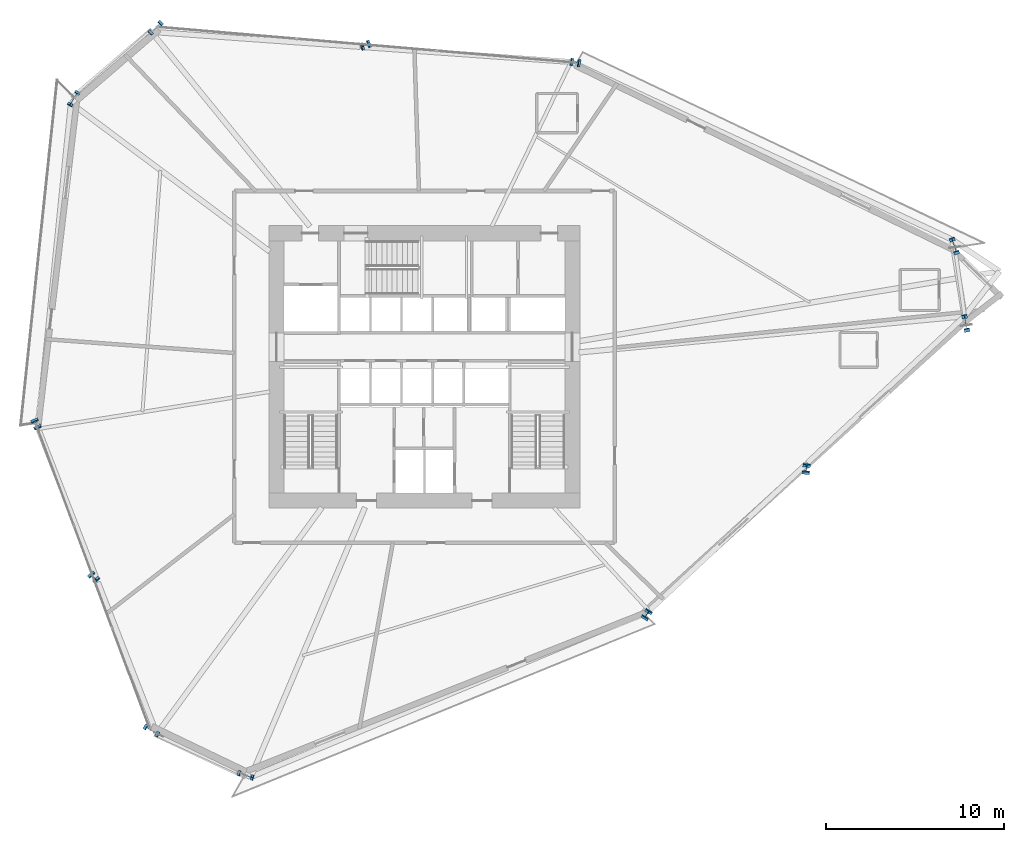
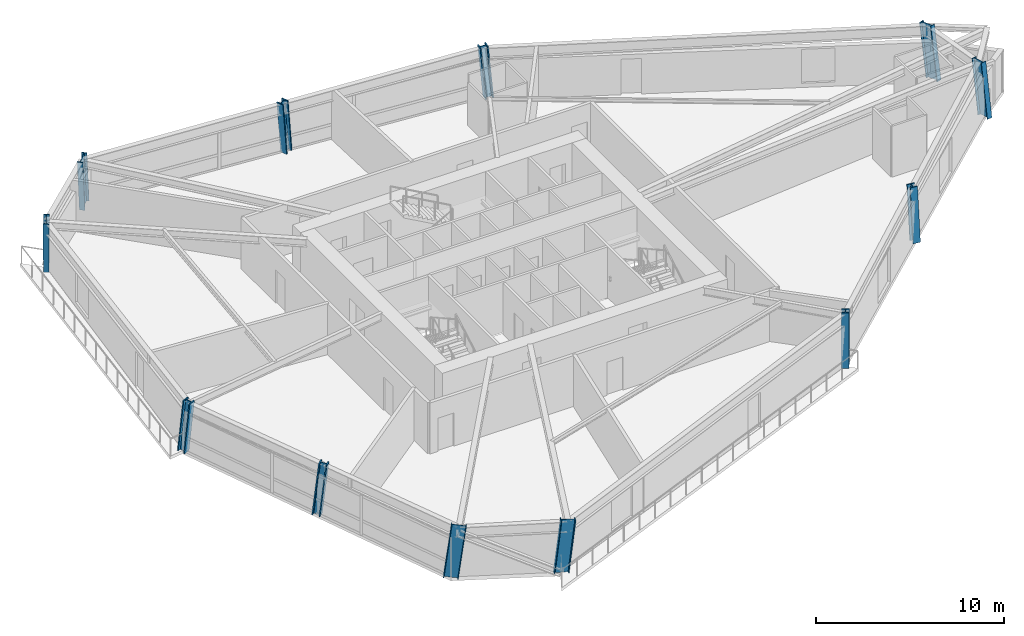
# One storey, part 1 of 21: 12 columns.
"""IFC4 building model written with IfcOpenShell, lengths in metres."""

import ifcopenshell
import ifcopenshell.guid

model = None  # the IFC model being written
_history = None  # IfcOwnerHistory: only IFC2X3 demands one
_inside = {}  # id of a spatial element -> (the spatial element, [elements in it])
_under = {}  # id of a project, library or spatial element -> (it, [spatial elements below it])
_declared = {}  # id of a project -> (the project, [libraries it declares])
_typed = {}  # id of a type object -> (the type object, [elements of that type])
_made_of = {}  # id of a material, layer set ... -> (it, [elements and type objects made of it])


def new_model(schema):
    """Start an empty IFC model of exactly this schema.

    Asked for "IFC4X3", IfcOpenShell would pick the latest addendum, in which some entities
    have other attributes; the version numbers below select the first issue.
    IFC2X3 requires an IfcOwnerHistory on every rooted entity: one is made here for all.
    """
    global model, _history
    if schema == "IFC4X3":
        model = ifcopenshell.file(schema_version=(4, 3, 0, 0))
    else:
        model = ifcopenshell.file(schema=schema)
    _inside.clear()
    _under.clear()
    _declared.clear()
    _typed.clear()
    _made_of.clear()
    _history = None
    if model.schema == "IFC2X3":
        org = make("IfcOrganization", Name="unknown")
        user = make(
            "IfcPersonAndOrganization",
            ThePerson=make("IfcPerson", FamilyName="unknown"),
            TheOrganization=org,
        )
        app = make(
            "IfcApplication",
            ApplicationDeveloper=org,
            Version="unknown",
            ApplicationFullName="unknown",
            ApplicationIdentifier="unknown",
        )
        _history = make(
            "IfcOwnerHistory",
            OwningUser=user,
            OwningApplication=app,
            ChangeAction="ADDED",
            CreationDate=0,
        )
    return model


def make(cls, **values):
    """One entity of the class cls with the attributes given. An attribute that is None is left unset."""
    return model.create_entity(
        cls, **{name: value for name, value in values.items() if value is not None}
    )


def rooted(cls, **values):
    """An entity with a GlobalId (a new one), such as an element, a storey or a relation."""
    return make(cls, GlobalId=ifcopenshell.guid.new(), OwnerHistory=_history, **values)


def si_unit(unit_type, name, prefix=None):
    """IfcSIUnit, for example si_unit("LENGTHUNIT", "METRE", prefix="MILLI")."""
    return make("IfcSIUnit", UnitType=unit_type, Prefix=prefix, Name=name)


def assignment(units):
    """IfcUnitAssignment: the units of a project."""
    return None if units is None else make("IfcUnitAssignment", Units=units)


def point(xyz):
    """IfcCartesianPoint."""
    return None if xyz is None else make("IfcCartesianPoint", Coordinates=xyz)


def direction(xyz):
    """IfcDirection."""
    return None if xyz is None else make("IfcDirection", DirectionRatios=xyz)


def frame(location, z_axis=None, x_axis=None):
    """IfcAxis2Placement3D, a coordinate frame: its origin and axes. An axis left out is left unset."""
    return make(
        "IfcAxis2Placement3D",
        Location=point(location),
        Axis=direction(z_axis),
        RefDirection=direction(x_axis),
    )


def frame_2d(location, x_axis=None):
    """IfcAxis2Placement2D, a coordinate frame in the plane: its origin and x axis."""
    return make(
        "IfcAxis2Placement2D", Location=point(location), RefDirection=direction(x_axis)
    )


def origin():
    """The frame at (0, 0, 0) with its axes left unset."""
    return frame((0.0, 0.0, 0.0))


def origin_2d():
    """The frame at (0, 0) in the plane with its x axis left unset."""
    return frame_2d((0.0, 0.0))


def place(relative_to, where):
    """IfcLocalPlacement: puts the frame where relative to a parent placement (None: the world)."""
    return make(
        "IfcLocalPlacement", PlacementRelTo=relative_to, RelativePlacement=where
    )


def context(
    kind, dimensions, precision=None, world=None, true_north=None, identifier=None
):
    """IfcGeometricRepresentationContext, for example the 3D "Model" context."""
    return make(
        "IfcGeometricRepresentationContext",
        ContextIdentifier=identifier,
        ContextType=kind,
        CoordinateSpaceDimension=dimensions,
        Precision=precision,
        WorldCoordinateSystem=world,
        TrueNorth=true_north,
    )


def subcontext(parent, identifier, kind, view, scale=None):
    """IfcGeometricRepresentationSubContext, for example "Body" below "Model"."""
    return make(
        "IfcGeometricRepresentationSubContext",
        ContextIdentifier=identifier,
        ContextType=kind,
        ParentContext=parent,
        TargetScale=scale,
        TargetView=view,
    )


def project(units=None, contexts=None):
    """IfcProject with its units and contexts."""
    return rooted(
        "IfcProject",
        Name="project",
        RepresentationContexts=contexts,
        UnitsInContext=assignment(units),
    )


def spatial(cls, under=None, at=None, **own):
    """A site, building, storey or space (cls), placed at a placement, below another one or the project."""
    s = rooted(cls, ObjectPlacement=at, **own)
    if under is not None:
        _under.setdefault(under.id(), (under, []))[1].append(s)
    return s


def profile(cls, at=None, kind="AREA", **sizes):
    """A parametric profile (cls). Its sizes go by their IFC names, for example OverallWidth=200.0."""
    return make(cls, ProfileType=kind, Position=at, **sizes)


def i_section(**sizes):
    """IfcIShapeProfileDef."""
    return profile("IfcIShapeProfileDef", **sizes)


def extrude(swept, where, along, depth):
    """IfcExtrudedAreaSolid: the profile swept, set in the frame where, extruded along a direction by depth."""
    return make(
        "IfcExtrudedAreaSolid",
        SweptArea=swept,
        Position=where,
        ExtrudedDirection=direction(along),
        Depth=depth,
    )


def shape(context_of_items, identifier, shape_type, items):
    """IfcShapeRepresentation: the items that make up one representation, for example the "Body"."""
    return make(
        "IfcShapeRepresentation",
        ContextOfItems=context_of_items,
        RepresentationIdentifier=identifier,
        RepresentationType=shape_type,
        Items=items,
    )


def source(mapping_origin, context_of_items, identifier, shape_type, items):
    """IfcRepresentationMap: a shape defined once, which mapped items show again and again."""
    return make(
        "IfcRepresentationMap",
        MappingOrigin=mapping_origin,
        MappedRepresentation=shape(context_of_items, identifier, shape_type, items),
    )


def transform(
    local_origin,
    x_axis=None,
    y_axis=None,
    z_axis=None,
    scale=None,
    scale2=None,
    scale3=None,
    uniform=True,
):
    """IfcCartesianTransformationOperator3D, or its non-uniform kind. x_axis, y_axis, z_axis: its Axis1, 2, 3."""
    if uniform:
        return make(
            "IfcCartesianTransformationOperator3D",
            Axis1=direction(x_axis),
            Axis2=direction(y_axis),
            LocalOrigin=point(local_origin),
            Scale=scale,
            Axis3=direction(z_axis),
        )
    return make(
        "IfcCartesianTransformationOperator3DnonUniform",
        Axis1=direction(x_axis),
        Axis2=direction(y_axis),
        LocalOrigin=point(local_origin),
        Scale=scale,
        Axis3=direction(z_axis),
        Scale2=scale2,
        Scale3=scale3,
    )


def mapped(mapping_source, mapping_target):
    """IfcMappedItem: shows the shape of a source again, moved by a transform."""
    return make(
        "IfcMappedItem", MappingSource=mapping_source, MappingTarget=mapping_target
    )


def material(Name=None, Category=None):
    """IfcMaterial."""
    return make("IfcMaterial", Name=Name, Category=Category)


def material_profile(
    of_material, cross_section, Name=None, Category=None, Priority=None
):
    """IfcMaterialProfile: a cross section and its material."""
    return make(
        "IfcMaterialProfile",
        Name=Name,
        Material=of_material,
        Profile=cross_section,
        Priority=Priority,
        Category=Category,
    )


def profile_set(profiles, Name=None, composite=None):
    """IfcMaterialProfileSet."""
    return make(
        "IfcMaterialProfileSet",
        Name=Name,
        MaterialProfiles=profiles,
        CompositeProfile=composite,
    )


def made_of(thing, what):
    """Note that an element or type object is made of a material, layer set ...; save() writes the relation."""
    if what is not None:
        _made_of.setdefault(what.id(), (what, []))[1].append(thing)
    return thing


def type_object(cls, material=None, **own):
    """A type object (cls), such as IfcWallType, which elements share."""
    return made_of(rooted(cls, **own), material)


def element(
    cls,
    number,
    at=None,
    inside=None,
    cuts=None,
    type_object=None,
    material=None,
    context=None,
    identifier="Body",
    shape_type=None,
    held_by="IfcProductDefinitionShape",
    body=None,
    shapes=None,
    **own,
):
    """One element of the class cls, such as IfcWall. Its Tag is "e" and its number.

    at: its placement. inside: the storey or other place that contains it. cuts: it is an
    opening in that element (IfcRelVoidsElement). A single representation is given by context,
    identifier, shape_type and body (its items); several are given by shapes. held_by: the class
    of the entity that holds the representations. save() writes the other relations.
    """
    e = rooted(cls, Tag="e%d" % number, ObjectPlacement=at, **own)
    if body is not None:
        shapes = [shape(context, identifier, shape_type, body)]
    if shapes is not None:
        e.Representation = make(held_by, Representations=shapes)
    if inside is not None:
        _inside.setdefault(inside.id(), (inside, []))[1].append(e)
    if cuts is not None:
        rooted(
            "IfcRelVoidsElement", RelatingBuildingElement=cuts, RelatedOpeningElement=e
        )
    if type_object is not None:
        _typed.setdefault(type_object.id(), (type_object, []))[1].append(e)
    return made_of(e, material)


def aggregate(whole, parts):
    """IfcRelAggregates: a whole, such as a stair, and the parts it consists of."""
    return rooted("IfcRelAggregates", RelatingObject=whole, RelatedObjects=parts)


def save(model, path):
    """Write the relations noted so far, then the file.

    IfcRelAggregates (storeys below a building ...), IfcRelContainedInSpatialStructure (elements
    in a storey), IfcRelDefinesByType, IfcRelAssociatesMaterial and IfcRelDeclares: one each for
    every whole, place, type object, material and project.
    """
    for whole, parts in _under.values():
        aggregate(whole, parts)
    for where, things in _inside.values():
        rooted(
            "IfcRelContainedInSpatialStructure",
            RelatedElements=things,
            RelatingStructure=where,
        )
    for kind, things in _typed.values():
        rooted("IfcRelDefinesByType", RelatedObjects=things, RelatingType=kind)
    for what, things in _made_of.values():
        rooted("IfcRelAssociatesMaterial", RelatedObjects=things, RelatingMaterial=what)
    for by, libraries in _declared.values():
        rooted("IfcRelDeclares", RelatingContext=by, RelatedDefinitions=libraries)
    model.write(path)


model = new_model("IFC4")

# Units and contexts
model_context = context("Model", 3, precision=1e-05, world=origin(), true_north=direction((0.0, 1.0)))
body_context = subcontext(model_context, "Body", "Model", "MODEL_VIEW")
ifc_project = project(units=[si_unit("LENGTHUNIT", "METRE"), si_unit("AREAUNIT", "SQUARE_METRE"), si_unit("VOLUMEUNIT", "CUBIC_METRE"), si_unit("PLANEANGLEUNIT", "RADIAN"), si_unit("MASSUNIT", "GRAM", prefix="KILO")], contexts=[model_context])

# Site, building, storey
site_placement = place(None, origin())
site = spatial("IfcSite", under=ifc_project, at=site_placement, CompositionType="ELEMENT")
building_placement = place(site_placement, origin())
building = spatial("IfcBuilding", under=site, at=building_placement, Name="Olszyna Solenne Hotel", CompositionType="ELEMENT")
storey_placement = place(building_placement, frame((0.0, 0.0, 68.35009765625)))
storey = spatial("IfcBuildingStorey", under=building, at=storey_placement, Name="L17", CompositionType="ELEMENT", Elevation=68.35009765625)

# Columns
ifc_material = material(Name="Steel S460M", Category="steel")
ifc_material_profile_1 = material_profile(ifc_material, i_section(OverallWidth=0.424072265625, OverallDepth=0.47412109375, WebThickness=0.04296875, FlangeThickness=0.068115234375, at=origin_2d()), Name="HD 400x634", Category="load-bearing")
ifc_profile_set_1 = profile_set([ifc_material_profile_1], Name="Steel S460M")
column_type_1 = type_object("IfcColumnType", Name="COL-T1", PredefinedType="COLUMN", material=ifc_profile_set_1)
shared_shape_1 = source(origin(), body_context, "Body", "SweptSolid", [
    extrude(i_section(OverallWidth=0.424072265625, OverallDepth=0.47412109375, WebThickness=0.04296875, FlangeThickness=0.068115234375, at=origin_2d()), origin(), (0.0, 0.0, 1.0), 3.39990234375),
])
column_1_placement = place(storey_placement, frame((34.734375, 44.724853515625, 0.0), z_axis=(-0.087319185608, -0.033247354389, 0.995625418142), x_axis=(0.355835526265, -0.93454859598, 0.0)))
element("IfcColumn", 1, at=column_1_placement, inside=storey, type_object=column_type_1, Name="Perimeter framed-tube column COL-T1 C-L17-04", PredefinedType="COLUMN", context=body_context, shape_type="MappedRepresentation", body=[
    mapped(shared_shape_1, transform((0.0, 0.0, 0.0), x_axis=(1.0, 0.0, 0.0), y_axis=(0.0, 1.0, 0.0), z_axis=(0.0, 0.0, 1.0), scale=1.0)),
])
ifc_material_profile_2 = material_profile(ifc_material, i_section(OverallWidth=0.30810546875, OverallDepth=0.81396484375, WebThickness=0.02099609375, FlangeThickness=0.0400390625, at=origin_2d()), Name="HEM 800", Category="load-bearing")
ifc_profile_set_2 = profile_set([ifc_material_profile_2], Name="Steel S460M")
column_type_2 = type_object("IfcColumnType", Name="COL-K1", PredefinedType="COLUMN", material=ifc_profile_set_2)
shared_shape_2 = source(origin(), body_context, "Body", "SweptSolid", [
    extrude(i_section(OverallWidth=0.30810546875, OverallDepth=0.81396484375, WebThickness=0.02099609375, FlangeThickness=0.0400390625, at=origin_2d()), origin(), (0.0, 0.0, 1.0), 3.40576171875),
])
column_2_placement = place(storey_placement, frame((27.87451171875, 3.642578125, 0.0), z_axis=(0.104872543217, -0.034479626307, 0.993887772864), x_axis=(0.312329102246, 0.949973963796, 0.0)))
element("IfcColumn", 2, at=column_2_placement, inside=storey, type_object=column_type_2, Name="Perimeter framed-tube column COL-K1 C-L17-10", PredefinedType="COLUMN", context=body_context, shape_type="MappedRepresentation", body=[
    mapped(shared_shape_2, transform((0.0, 0.0, 0.0), x_axis=(1.0, 0.0, 0.0), y_axis=(0.0, 1.0, 0.0), z_axis=(0.0, 0.0, 1.0), scale=1.0)),
])
shared_shape_3 = source(origin(), body_context, "Body", "SweptSolid", [
    extrude(i_section(OverallWidth=0.424072265625, OverallDepth=0.47412109375, WebThickness=0.04296875, FlangeThickness=0.068115234375, at=origin_2d()), origin(), (0.0, 0.0, 1.0), 3.40576171875),
])
column_3_placement = place(storey_placement, frame((19.34912109375, 14.81591796875, 0.0), z_axis=(0.074838217238, -0.081003051225, 0.993900270114), x_axis=(0.734504329916, 0.678604000382, 0.0)))
element("IfcColumn", 3, at=column_3_placement, inside=storey, type_object=column_type_1, Name="Perimeter framed-tube column COL-T1 C-L17-08", PredefinedType="COLUMN", context=body_context, shape_type="MappedRepresentation", body=[
    mapped(shared_shape_3, transform((0.0, 0.0, 0.0), x_axis=(1.0, 0.0, 0.0), y_axis=(0.0, 1.0, 0.0), z_axis=(0.0, 0.0, 1.0), scale=1.0)),
])
shared_shape_4 = source(origin(), body_context, "Body", "SweptSolid", [
    extrude(i_section(OverallWidth=0.424072265625, OverallDepth=0.47412109375, WebThickness=0.04296875, FlangeThickness=0.068115234375, at=origin_2d()), origin(), (0.0, 0.0, 1.0), 3.3994140625),
])
column_4_placement = place(storey_placement, frame((50.475830078125, 12.61669921875, 0.0), z_axis=(0.048621314861, 0.077995196364, 0.995767401096), x_axis=(-0.848612326761, 0.529015235007, 0.0)))
element("IfcColumn", 4, at=column_4_placement, inside=storey, type_object=column_type_1, Name="Perimeter framed-tube column COL-T1 C-L17-11", PredefinedType="COLUMN", context=body_context, shape_type="MappedRepresentation", body=[
    mapped(shared_shape_4, transform((0.0, 0.0, 0.0), x_axis=(1.0, 0.0, 0.0), y_axis=(0.0, 1.0, 0.0), z_axis=(0.0, 0.0, 1.0), scale=1.0)),
])
shared_shape_5 = source(origin(), body_context, "Body", "SweptSolid", [
    extrude(i_section(OverallWidth=0.424072265625, OverallDepth=0.47412109375, WebThickness=0.04296875, FlangeThickness=0.068115234375, at=origin_2d()), origin(), (0.0, 0.0, 1.0), 3.40625),
])
column_5_placement = place(storey_placement, frame((59.47705078125, 20.791015625, 0.0), z_axis=(0.011396352652, 0.110809818868, 0.993776286288), x_axis=(-0.994752932951, 0.102306414191, 0.0)))
element("IfcColumn", 5, at=column_5_placement, inside=storey, type_object=column_type_1, Name="Perimeter framed-tube column COL-T1 C-L17-12", PredefinedType="COLUMN", context=body_context, shape_type="MappedRepresentation", body=[
    mapped(shared_shape_5, transform((0.0, 0.0, 0.0), x_axis=(1.0, 0.0, 0.0), y_axis=(0.0, 1.0, 0.0), z_axis=(0.0, 0.0, 1.0), scale=1.0)),
])
shared_shape_6 = source(origin(), body_context, "Body", "SweptSolid", [
    extrude(i_section(OverallWidth=0.30810546875, OverallDepth=0.81396484375, WebThickness=0.02099609375, FlangeThickness=0.0400390625, at=origin_2d()), origin(), (0.0, 0.0, 1.0), 3.405029296875),
])
column_6_placement = place(storey_placement, frame((18.300537109375, 41.755615234375, 0.0), z_axis=(-0.056070863616, -0.092352010661, 0.994146450167), x_axis=(0.854787515222, -0.518978134242, 0.0)))
element("IfcColumn", 6, at=column_6_placement, inside=storey, type_object=column_type_2, Name="Perimeter framed-tube column COL-K1 C-L17-06", PredefinedType="COLUMN", context=body_context, shape_type="MappedRepresentation", body=[
    mapped(shared_shape_6, transform((0.0, 0.0, 0.0), x_axis=(1.0, 0.0, 0.0), y_axis=(0.0, 1.0, 0.0), z_axis=(0.0, 0.0, 1.0), scale=1.0)),
])
shared_shape_7 = source(origin(), body_context, "Body", "SweptSolid", [
    extrude(i_section(OverallWidth=0.30810546875, OverallDepth=0.81396484375, WebThickness=0.02099609375, FlangeThickness=0.0400390625, at=origin_2d()), origin(), (0.0, 0.0, 1.0), 3.42138671875),
])
column_7_placement = place(storey_placement, frame((68.478271484375, 28.965087890625, 0.0), z_axis=(-0.02561704692, 0.143212850053, 0.989360321868), x_axis=(-0.984376000373, -0.176079214815, 0.0)))
element("IfcColumn", 7, at=column_7_placement, inside=storey, type_object=column_type_2, Name="Perimeter framed-tube column COL-K1 C-L17-01", PredefinedType="COLUMN", context=body_context, shape_type="MappedRepresentation", body=[
    mapped(shared_shape_7, transform((0.0, 0.0, 0.0), x_axis=(1.0, 0.0, 0.0), y_axis=(0.0, 1.0, 0.0), z_axis=(0.0, 0.0, 1.0), scale=1.0)),
])
shared_shape_8 = source(origin(), body_context, "Body", "SweptSolid", [
    extrude(i_section(OverallWidth=0.30810546875, OverallDepth=0.81396484375, WebThickness=0.02099609375, FlangeThickness=0.0400390625, at=origin_2d()), origin(), (0.0, 0.0, 1.0), 3.4169921875),
])
column_8_placement = place(storey_placement, frame((67.8466796875, 33.3212890625, 0.0), z_axis=(-0.043870117237, 0.12918106183, 0.990650122939), x_axis=(-0.946887606415, -0.321564707046, 0.0)))
element("IfcColumn", 8, at=column_8_placement, inside=storey, type_object=column_type_2, Name="Perimeter framed-tube column COL-K1 C-L17-02", PredefinedType="COLUMN", context=body_context, shape_type="MappedRepresentation", body=[
    mapped(shared_shape_8, transform((0.0, 0.0, 0.0), x_axis=(1.0, 0.0, 0.0), y_axis=(0.0, 1.0, 0.0), z_axis=(0.0, 0.0, 1.0), scale=1.0)),
])
shared_shape_9 = source(origin(), body_context, "Body", "SweptSolid", [
    extrude(i_section(OverallWidth=0.30810546875, OverallDepth=0.81396484375, WebThickness=0.02099609375, FlangeThickness=0.0400390625, at=origin_2d()), origin(), (0.0, 0.0, 1.0), 3.411865234375),
])
column_9_placement = place(storey_placement, frame((22.574951171875, 6.181640625, 0.0), z_axis=(0.106834569639, -0.065188407864, 0.99213751376), x_axis=(0.52087170731, 0.853634971475, 0.0)))
element("IfcColumn", 9, at=column_9_placement, inside=storey, type_object=column_type_2, Name="Perimeter framed-tube column COL-K1 C-L17-09", PredefinedType="COLUMN", context=body_context, shape_type="MappedRepresentation", body=[
    mapped(shared_shape_9, transform((0.0, 0.0, 0.0), x_axis=(1.0, 0.0, 0.0), y_axis=(0.0, 1.0, 0.0), z_axis=(0.0, 0.0, 1.0), scale=1.0)),
])
shared_shape_10 = source(origin(), body_context, "Body", "SweptSolid", [
    extrude(i_section(OverallWidth=0.424072265625, OverallDepth=0.47412109375, WebThickness=0.04296875, FlangeThickness=0.068115234375, at=origin_2d()), origin(), (0.0, 0.0, 1.0), 3.398681640625),
])
column_10_placement = place(storey_placement, frame((46.543212890625, 43.716064453125, 0.0), z_axis=(-0.088355592773, 0.01501326739, 0.995975848617), x_axis=(-0.167517592781, -0.985869086699, 0.0)))
element("IfcColumn", 10, at=column_10_placement, inside=storey, type_object=column_type_1, Name="Perimeter framed-tube column COL-T1 C-L17-03", PredefinedType="COLUMN", context=body_context, shape_type="MappedRepresentation", body=[
    mapped(shared_shape_10, transform((0.0, 0.0, 0.0), x_axis=(1.0, 0.0, 0.0), y_axis=(0.0, 1.0, 0.0), z_axis=(0.0, 0.0, 1.0), scale=1.0)),
])
shared_shape_11 = source(origin(), body_context, "Body", "SweptSolid", [
    extrude(i_section(OverallWidth=0.30810546875, OverallDepth=0.81396484375, WebThickness=0.02099609375, FlangeThickness=0.0400390625, at=origin_2d()), origin(), (0.0, 0.0, 1.0), 3.408935546875),
])
column_11_placement = place(storey_placement, frame((22.92529296875, 45.73388671875, 0.0), z_axis=(-0.086153434575, -0.081426812229, 0.992948770059), x_axis=(0.686889577708, -0.726761795939, 0.0)))
element("IfcColumn", 11, at=column_11_placement, inside=storey, type_object=column_type_2, Name="Perimeter framed-tube column COL-K1 C-L17-05", PredefinedType="COLUMN", context=body_context, shape_type="MappedRepresentation", body=[
    mapped(shared_shape_11, transform((0.0, 0.0, 0.0), x_axis=(1.0, 0.0, 0.0), y_axis=(0.0, 1.0, 0.0), z_axis=(0.0, 0.0, 1.0), scale=1.0)),
])
shared_shape_12 = source(origin(), body_context, "Body", "SweptSolid", [
    extrude(i_section(OverallWidth=0.424072265625, OverallDepth=0.47412109375, WebThickness=0.04296875, FlangeThickness=0.068115234375, at=origin_2d()), origin(), (0.0, 0.0, 1.0), 3.404052734375),
])
column_12_placement = place(storey_placement, frame((16.123291015625, 23.4501953125, 0.0), z_axis=(0.042745101323, -0.096678517757, 0.994397365502), x_axis=(0.914593250106, 0.404375057169, 0.0)))
element("IfcColumn", 12, at=column_12_placement, inside=storey, type_object=column_type_1, Name="Perimeter framed-tube column COL-T1 C-L17-07", PredefinedType="COLUMN", context=body_context, shape_type="MappedRepresentation", body=[
    mapped(shared_shape_12, transform((0.0, 0.0, 0.0), x_axis=(1.0, 0.0, 0.0), y_axis=(0.0, 1.0, 0.0), z_axis=(0.0, 0.0, 1.0), scale=1.0)),
])

save(model, "model.ifc")
